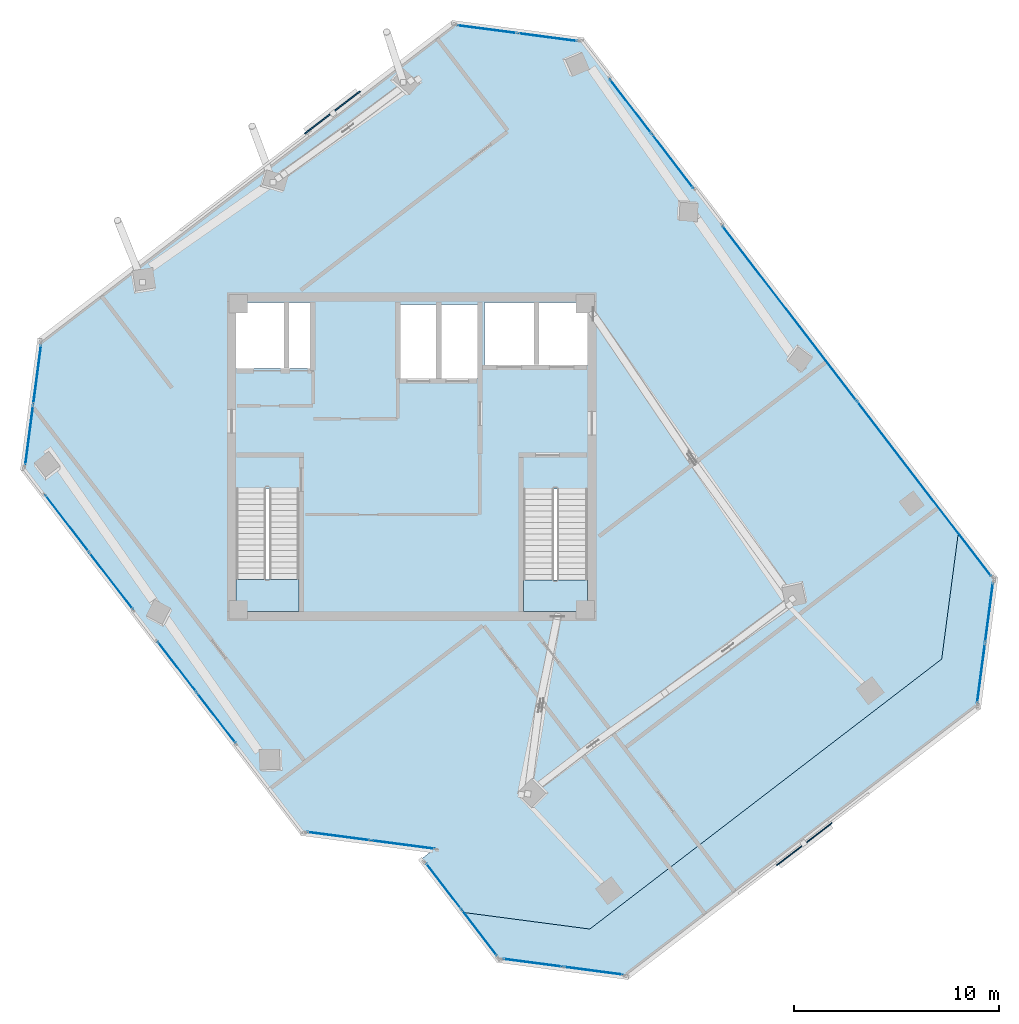
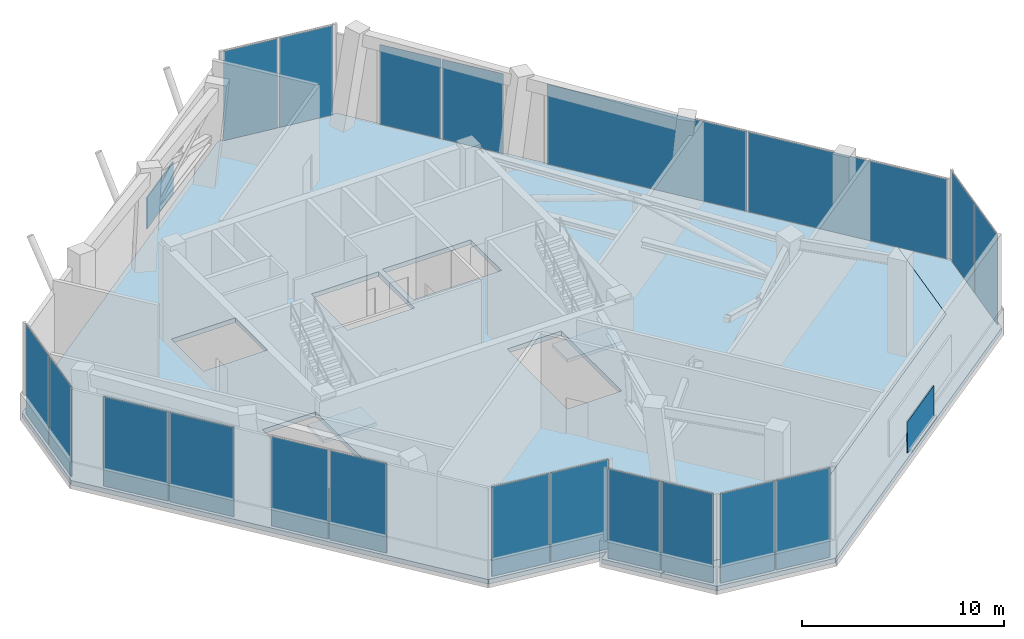
# One storey, part 13 of 19: 22 plates, 4 slabs, 12 elements without a shape of their own.
"""IFC4 building model written with IfcOpenShell, lengths in metres."""

from ifc_helpers import new_model, si_unit, direction, frame, origin, origin_2d, place, context, subcontext, project, spatial, polyline, rectangle, outline, extrude, source, transform, mapped, material, layer, layer_set, type_object, element, aggregate, save


model = new_model("IFC4")

# Units and contexts
model_context = context("Model", 3, precision=1e-05, world=origin(), true_north=direction((0.0, 1.0)))
body_context = subcontext(model_context, "Body", "Model", "MODEL_VIEW")
ifc_project = project(units=[si_unit("LENGTHUNIT", "METRE"), si_unit("AREAUNIT", "SQUARE_METRE"), si_unit("VOLUMEUNIT", "CUBIC_METRE"), si_unit("PLANEANGLEUNIT", "RADIAN"), si_unit("MASSUNIT", "GRAM", prefix="KILO")], contexts=[model_context])

# Site, building, storey
site_placement = place(None, origin())
site = spatial("IfcSite", under=ifc_project, at=site_placement, CompositionType="ELEMENT")
building_placement = place(site_placement, origin())
building = spatial("IfcBuilding", under=site, at=building_placement, Name="Torre Montelarca", CompositionType="ELEMENT")
storey_placement = place(building_placement, frame((0.0, 0.0, 287.800048828125)))
storey = spatial("IfcBuildingStorey", under=building, at=storey_placement, Name="L65", CompositionType="ELEMENT", Elevation=287.800048828125)

# Slabs
ifc_material_1 = material(Name="Concrete C40/50", Category="concrete")
ifc_layer_1 = layer(ifc_material_1, 0.280029296875, Name="Concrete C40/50", Category="concrete")
ifc_layer_set_1 = layer_set([ifc_layer_1], Name="Concrete C40/50")
slab_type_1 = type_object("IfcSlabType", Name="SL-FLR-280", PredefinedType="FLOOR", material=ifc_layer_set_1)
slab_1_placement = place(storey_placement, frame((0.0, 0.0, -0.280029296875)))
element("IfcSlab", 1, at=slab_1_placement, inside=storey, type_object=slab_type_1, Name="L65 Structural Floor Slab", PredefinedType="FLOOR", context=body_context, shape_type="SweptSolid", body=[
    extrude(outline(polyline([(12.66162109375, 13.62158203125), (18.97119140625, 12.791015625), (18.415771484375, 12.364990234375), (20.36376953125, 9.826171875), (26.67333984375, 8.99560546875), (43.809814453125, 22.144775390625), (44.640380859375, 28.454345703125), (26.316650390625, 52.334228515625), (20.007080078125, 53.164794921875), (-0.14404296875, 37.702392578125), (-0.974609375, 31.392822265625), (12.66162109375, 13.62158203125)]), holes=[polyline([(26.550048828125, 24.449951171875), (23.43994140625, 24.449951171875), (23.43994140625, 30.429931640625), (26.550048828125, 30.429931640625), (26.550048828125, 24.449951171875)]), polyline([(12.5, 24.449951171875), (9.449951171875, 24.449951171875), (9.449951171875, 30.4599609375), (12.5, 30.4599609375), (12.5, 24.449951171875)]), polyline([(21.25, 39.39990234375), (21.25, 35.800048828125), (17.39990234375, 35.800048828125), (17.39990234375, 39.39990234375), (21.25, 39.39990234375)]), polyline([(13.1201171875, 36.300048828125), (9.449951171875, 36.300048828125), (9.449951171875, 39.5), (13.1201171875, 39.5), (13.1201171875, 36.300048828125)]), polyline([(26.60009765625, 36.449951171875), (21.550048828125, 36.449951171875), (21.550048828125, 39.5), (26.60009765625, 39.5), (26.60009765625, 36.449951171875)])]), origin(), (0.0, 0.0, 1.0), 0.280029296875),
])
slab_2_placement = place(storey_placement, frame((0.0, 0.0, -0.280029296875)))
element("IfcSlab", 2, at=slab_2_placement, inside=storey, type_object=slab_type_1, Name="L65 Sliding Tray Winter Garden Floor Slab E1", PredefinedType="FLOOR", context=body_context, shape_type="SweptSolid", body=[
    extrude(outline(polyline([(44.640380859375, 28.454345703125), (43.809814453125, 22.144775390625), (26.67333984375, 8.99560546875), (20.36376953125, 9.826171875), (22.190185546875, 7.446044921875), (28.49951171875, 6.615478515625), (45.635986328125, 19.7646484375), (46.466796875, 26.07421875), (44.640380859375, 28.454345703125)])), origin(), (0.0, 0.0, 1.0), 0.280029296875),
])

# Stair, slab
stair_type_1 = type_object("IfcStairType", Name="ST-CORE-ST1", PredefinedType="HALF_TURN_STAIR", material=ifc_material_1)
stair_1_placement = place(storey_placement, origin())
stair_1 = element("IfcStair", 3, at=stair_1_placement, inside=storey, type_object=stair_type_1, Name="L65 Protected Exit Stair ST1", PredefinedType="HALF_TURN_STAIR")
ifc_layer_2 = layer(ifc_material_1, 0.199951171875, Name="Concrete C40/50", Category="concrete")
ifc_layer_set_2 = layer_set([ifc_layer_2], Name="Concrete C40/50")
slab_type_2 = type_object("IfcSlabType", Name="SL-ST-LAND-ST1", PredefinedType="LANDING", material=ifc_layer_set_2)
slab_3_placement = place(storey_placement, frame((0.0, 0.0, 2.800048828125)))
slab_3 = element("IfcSlab", 4, at=slab_3_placement, type_object=slab_type_2, Name="ST1 landing 1", PredefinedType="LANDING", context=body_context, shape_type="SweptSolid", body=[
    extrude(outline(polyline([(9.449951171875, 26.02001953125), (9.449951171875, 24.449951171875), (12.5, 24.449951171875), (12.5, 26.02001953125), (9.449951171875, 26.02001953125)])), origin(), (0.0, 0.0, 1.0), 0.199951171875),
])
aggregate(stair_1, [slab_3])

stair_type_2 = type_object("IfcStairType", Name="ST-CORE-ST2", PredefinedType="HALF_TURN_STAIR", material=ifc_material_1)
stair_2_placement = place(storey_placement, origin())
stair_2 = element("IfcStair", 5, at=stair_2_placement, inside=storey, type_object=stair_type_2, Name="L65 Protected Exit Stair ST2", PredefinedType="HALF_TURN_STAIR")
ifc_layer_3 = layer(ifc_material_1, 0.199951171875, Name="Concrete C40/50", Category="concrete")
ifc_layer_set_3 = layer_set([ifc_layer_3], Name="Concrete C40/50")
slab_type_3 = type_object("IfcSlabType", Name="SL-ST-LAND-ST2", PredefinedType="LANDING", material=ifc_layer_set_3)
slab_4_placement = place(storey_placement, frame((0.0, 0.0, 2.800048828125)))
slab_4 = element("IfcSlab", 6, at=slab_4_placement, type_object=slab_type_3, Name="ST2 landing 1", PredefinedType="LANDING", context=body_context, shape_type="SweptSolid", body=[
    extrude(outline(polyline([(23.43994140625, 25.989990234375), (23.43994140625, 24.449951171875), (26.550048828125, 24.449951171875), (26.550048828125, 25.989990234375), (23.43994140625, 25.989990234375)])), origin(), (0.0, 0.0, 1.0), 0.199951171875),
])
aggregate(stair_2, [slab_4])

# Plates
ifc_material_2 = material(Name="Architectural perforated terracotta ceramic", Category="masonry")
ifc_layer_4 = layer(ifc_material_2, 0.074951171875, Name="Architectural perforated terracotta ceramic", Category="masonry")
ifc_layer_set_4 = layer_set([ifc_layer_4], Name="Architectural perforated terracotta ceramic")
plate_type_1 = type_object("IfcPlateType", Name="SCR-CER-75", PredefinedType="USERDEFINED", material=ifc_layer_set_4)
shared_shape_1 = source(origin(), body_context, "Body", "SweptSolid", [
    extrude(rectangle(XDim=3.39990234375, YDim=0.06005859375, at=origin_2d()), origin(), (0.0, 0.0, 1.0), 1.89990234375),
])
for number, where, z_axis, x_axis, name in (
    (7, (37.116455078125, 13.126708984375, 0.5), (0.0, 0.0, 1.0), (0.793351215308, 0.608764198331, 0.0), "L65 Perforated Ceramic Brise-Soleil Screen E6-1"),
    (8, (14.14111328125, 48.7646484375, 0.5), (0.0, 0.0, 1.0), (-0.793352277801, -0.608762813671, 0.0), "L65 Perforated Ceramic Brise-Soleil Screen E10-1"),
):
    element("IfcPlate", number, at=place(storey_placement, frame(where, z_axis=z_axis, x_axis=x_axis)), inside=storey, type_object=plate_type_1, Name=name, ObjectType="SOLAR SCREEN", PredefinedType="USERDEFINED", context=body_context, shape_type="MappedRepresentation", body=[
        mapped(shared_shape_1, transform((0.0, 0.0, 0.0), scale=1.0)),
    ])

# Curtain wall, plates
ifc_material_3 = material(Name="Insulated low-E laminated glass", Category="glass")
curtain_wall_type = type_object("IfcCurtainWallType", Name="CW-SYS-Z3", PredefinedType="USERDEFINED", material=ifc_material_3)
curtain_wall_1_placement = place(storey_placement, origin())
curtain_wall_1 = element("IfcCurtainWall", 9, at=curtain_wall_1_placement, inside=storey, type_object=curtain_wall_type, Name="L65 Curtain Wall Run CW-T3-L65-E01-B1", ObjectType="UNITISED GLAZING", PredefinedType="USERDEFINED")
ifc_layer_5 = layer(ifc_material_3, 0.031982421875, Name="Insulated low-E laminated glass", Category="glass")
ifc_layer_set_5 = layer_set([ifc_layer_5], Name="Insulated low-E laminated glass")
plate_type_2 = type_object("IfcPlateType", Name="CWP-GLZ-32", PredefinedType="CURTAIN_PANEL", material=ifc_layer_set_5)
shared_shape_2 = source(origin(), body_context, "Body", "SweptSolid", [
    extrude(rectangle(XDim=3.45751953125, YDim=0.031982421875, at=origin_2d()), origin(), (0.0, 0.0, 1.0), 5.409912109375),
])
plate_1_placement = place(storey_placement, frame((1.21875, 28.747802734375, 0.05517578125), z_axis=(0.0, 0.0, 1.0), x_axis=(0.608768152979, -0.793348180762, 0.0)))
plate_1 = element("IfcPlate", 10, at=plate_1_placement, type_object=plate_type_2, Name="CW panel 1.1", PredefinedType="CURTAIN_PANEL", context=body_context, shape_type="MappedRepresentation", body=[
    mapped(shared_shape_2, transform((0.0, 0.0, 0.0), scale=1.0)),
])
plate_2_placement = place(storey_placement, frame((3.369140625, 25.9453125, 0.05517578125), z_axis=(0.0, 0.0, 1.0), x_axis=(0.608768152979, -0.793348180762, 0.0)))
plate_2 = element("IfcPlate", 11, at=plate_2_placement, type_object=plate_type_2, Name="CW panel 2.1", PredefinedType="CURTAIN_PANEL", context=body_context, shape_type="MappedRepresentation", body=[
    mapped(shared_shape_2, transform((0.0, 0.0, 0.0), scale=1.0)),
])
aggregate(curtain_wall_1, [plate_1, plate_2])

curtain_wall_2_placement = place(storey_placement, origin())
curtain_wall_2 = element("IfcCurtainWall", 12, at=curtain_wall_2_placement, inside=storey, type_object=curtain_wall_type, Name="L65 Curtain Wall Run CW-T3-L65-E01-B2", ObjectType="UNITISED GLAZING", PredefinedType="USERDEFINED")
shared_shape_3 = source(origin(), body_context, "Body", "SweptSolid", [
    extrude(rectangle(XDim=3.0546875, YDim=0.031982421875, at=origin_2d()), origin(), (0.0, 0.0, 1.0), 5.409912109375),
])
plate_3_placement = place(storey_placement, frame((6.5751953125, 21.767333984375, 0.05517578125), z_axis=(0.0, 0.0, 1.0), x_axis=(0.608771188398, -0.793345851553, 0.0)))
plate_3 = element("IfcPlate", 13, at=plate_3_placement, type_object=plate_type_2, Name="CW panel 1.1", PredefinedType="CURTAIN_PANEL", context=body_context, shape_type="MappedRepresentation", body=[
    mapped(shared_shape_3, transform((0.0, 0.0, 0.0), scale=1.0)),
])
plate_4_placement = place(storey_placement, frame((8.48046875, 19.284423828125, 0.05517578125), z_axis=(0.0, 0.0, 1.0), x_axis=(0.608771188398, -0.793345851553, 0.0)))
plate_4 = element("IfcPlate", 14, at=plate_4_placement, type_object=plate_type_2, Name="CW panel 2.1", PredefinedType="CURTAIN_PANEL", context=body_context, shape_type="MappedRepresentation", body=[
    mapped(shared_shape_3, transform((0.0, 0.0, 0.0), scale=1.0)),
])
aggregate(curtain_wall_2, [plate_3, plate_4])

curtain_wall_3_placement = place(storey_placement, origin())
curtain_wall_3 = element("IfcCurtainWall", 15, at=curtain_wall_3_placement, inside=storey, type_object=curtain_wall_type, Name="L65 Curtain Wall Run CW-T3-L65-E02-B1", ObjectType="UNITISED GLAZING", PredefinedType="USERDEFINED")
shared_shape_4 = source(origin(), body_context, "Body", "SweptSolid", [
    extrude(rectangle(XDim=3.08740234375, YDim=0.031982421875, at=origin_2d()), origin(), (0.0, 0.0, 1.0), 5.409912109375),
])
plate_5_placement = place(storey_placement, frame((14.447998046875, 13.517578125, 0.05517578125), z_axis=(0.0, 0.0, 1.0), x_axis=(0.991446369584, -0.130514735715, 0.0)))
plate_5 = element("IfcPlate", 16, at=plate_5_placement, type_object=plate_type_2, Name="CW panel 1.1", PredefinedType="CURTAIN_PANEL", context=body_context, shape_type="MappedRepresentation", body=[
    mapped(shared_shape_4, transform((0.0, 0.0, 0.0), scale=1.0)),
])
plate_6_placement = place(storey_placement, frame((17.58349609375, 13.10498046875, 0.05517578125), z_axis=(0.0, 0.0, 1.0), x_axis=(0.991446369584, -0.130514735715, 0.0)))
plate_6 = element("IfcPlate", 17, at=plate_6_placement, type_object=plate_type_2, Name="CW panel 2.1", PredefinedType="CURTAIN_PANEL", context=body_context, shape_type="MappedRepresentation", body=[
    mapped(shared_shape_4, transform((0.0, 0.0, 0.0), scale=1.0)),
])
aggregate(curtain_wall_3, [plate_5, plate_6])

curtain_wall_4_placement = place(storey_placement, origin())
curtain_wall_4 = element("IfcCurtainWall", 18, at=curtain_wall_4_placement, inside=storey, type_object=curtain_wall_type, Name="L65 Curtain Wall Run CW-T3-L65-E04-B1", ObjectType="UNITISED GLAZING", PredefinedType="USERDEFINED")
shared_shape_5 = source(origin(), body_context, "Body", "SweptSolid", [
    extrude(rectangle(XDim=2.78369140625, YDim=0.031982421875, at=origin_2d()), origin(), (0.0, 0.0, 1.0), 5.409912109375),
])
plate_7_placement = place(storey_placement, frame((19.55908203125, 11.08837890625, 0.05517578125), z_axis=(0.0, 0.0, 1.0), x_axis=(0.608761678082, -0.793353149171, 0.0)))
plate_7 = element("IfcPlate", 19, at=plate_7_placement, type_object=plate_type_2, Name="CW panel 1.1", PredefinedType="CURTAIN_PANEL", context=body_context, shape_type="MappedRepresentation", body=[
    mapped(shared_shape_5, transform((0.0, 0.0, 0.0), scale=1.0)),
])
plate_8_placement = place(storey_placement, frame((21.29931640625, 8.820556640625, 0.05517578125), z_axis=(0.0, 0.0, 1.0), x_axis=(0.608761678082, -0.793353149171, 0.0)))
plate_8 = element("IfcPlate", 20, at=plate_8_placement, type_object=plate_type_2, Name="CW panel 2.1", PredefinedType="CURTAIN_PANEL", context=body_context, shape_type="MappedRepresentation", body=[
    mapped(shared_shape_5, transform((0.0, 0.0, 0.0), scale=1.0)),
])
aggregate(curtain_wall_4, [plate_7, plate_8])

curtain_wall_5_placement = place(storey_placement, origin())
curtain_wall_5 = element("IfcCurtainWall", 21, at=curtain_wall_5_placement, inside=storey, type_object=curtain_wall_type, Name="L65 Curtain Wall Run CW-T3-L65-E05-B1", ObjectType="UNITISED GLAZING", PredefinedType="USERDEFINED")
shared_shape_6 = source(origin(), body_context, "Body", "SweptSolid", [
    extrude(rectangle(XDim=2.903564453125, YDim=0.031982421875, at=origin_2d()), origin(), (0.0, 0.0, 1.0), 5.409912109375),
])
plate_9_placement = place(storey_placement, frame((23.88525390625, 7.35400390625, 0.05517578125), z_axis=(0.0, 0.0, 1.0), x_axis=(0.991446450787, -0.130514118862, 0.0)))
plate_9 = element("IfcPlate", 22, at=plate_9_placement, type_object=plate_type_2, Name="CW panel 1.1", PredefinedType="CURTAIN_PANEL", context=body_context, shape_type="MappedRepresentation", body=[
    mapped(shared_shape_6, transform((0.0, 0.0, 0.0), scale=1.0)),
])
plate_10_placement = place(storey_placement, frame((26.83837890625, 6.96533203125, 0.05517578125), z_axis=(0.0, 0.0, 1.0), x_axis=(0.991446450787, -0.130514118862, 0.0)))
plate_10 = element("IfcPlate", 23, at=plate_10_placement, type_object=plate_type_2, Name="CW panel 2.1", PredefinedType="CURTAIN_PANEL", context=body_context, shape_type="MappedRepresentation", body=[
    mapped(shared_shape_6, transform((0.0, 0.0, 0.0), scale=1.0)),
])
aggregate(curtain_wall_5, [plate_9, plate_10])

curtain_wall_6_placement = place(storey_placement, origin())
curtain_wall_6 = element("IfcCurtainWall", 24, at=curtain_wall_6_placement, inside=storey, type_object=curtain_wall_type, Name="L65 Curtain Wall Run CW-T3-L65-E07-B1", ObjectType="UNITISED GLAZING", PredefinedType="USERDEFINED")
plate_11_placement = place(storey_placement, frame((45.72802734375, 21.4599609375, 0.05517578125), z_axis=(0.0, 0.0, 1.0), x_axis=(0.130514118862, 0.991446450787, 0.0)))
plate_11 = element("IfcPlate", 25, at=plate_11_placement, type_object=plate_type_2, Name="CW panel 1.1", PredefinedType="CURTAIN_PANEL", context=body_context, shape_type="MappedRepresentation", body=[
    mapped(shared_shape_6, transform((0.0, 0.0, 0.0), scale=1.0)),
])
plate_12_placement = place(storey_placement, frame((46.116943359375, 24.4130859375, 0.05517578125), z_axis=(0.0, 0.0, 1.0), x_axis=(0.130514118862, 0.991446450787, 0.0)))
plate_12 = element("IfcPlate", 26, at=plate_12_placement, type_object=plate_type_2, Name="CW panel 2.1", PredefinedType="CURTAIN_PANEL", context=body_context, shape_type="MappedRepresentation", body=[
    mapped(shared_shape_6, transform((0.0, 0.0, 0.0), scale=1.0)),
])
aggregate(curtain_wall_6, [plate_11, plate_12])

curtain_wall_7_placement = place(storey_placement, origin())
curtain_wall_7 = element("IfcCurtainWall", 27, at=curtain_wall_7_placement, inside=storey, type_object=curtain_wall_type, Name="L65 Curtain Wall Run CW-T3-L65-E09-B1", ObjectType="UNITISED GLAZING", PredefinedType="USERDEFINED")
plate_13_placement = place(storey_placement, frame((24.62158203125, 52.42626953125, 0.05517578125), z_axis=(0.0, 0.0, 1.0), x_axis=(-0.991446450787, 0.130514118862, 0.0)))
plate_13 = element("IfcPlate", 28, at=plate_13_placement, type_object=plate_type_2, Name="CW panel 1.1", PredefinedType="CURTAIN_PANEL", context=body_context, shape_type="MappedRepresentation", body=[
    mapped(shared_shape_6, transform((0.0, 0.0, 0.0), scale=1.0)),
])
plate_14_placement = place(storey_placement, frame((21.66845703125, 52.81494140625, 0.05517578125), z_axis=(0.0, 0.0, 1.0), x_axis=(-0.991446450787, 0.130514118862, 0.0)))
plate_14 = element("IfcPlate", 29, at=plate_14_placement, type_object=plate_type_2, Name="CW panel 2.1", PredefinedType="CURTAIN_PANEL", context=body_context, shape_type="MappedRepresentation", body=[
    mapped(shared_shape_6, transform((0.0, 0.0, 0.0), scale=1.0)),
])
aggregate(curtain_wall_7, [plate_13, plate_14])

curtain_wall_8_placement = place(storey_placement, origin())
curtain_wall_8 = element("IfcCurtainWall", 30, at=curtain_wall_8_placement, inside=storey, type_object=curtain_wall_type, Name="L65 Curtain Wall Run CW-T3-L65-E11-B1", ObjectType="UNITISED GLAZING", PredefinedType="USERDEFINED")
plate_15_placement = place(storey_placement, frame((-0.236083984375, 36.007080078125, 0.05517578125), z_axis=(0.0, 0.0, 1.0), x_axis=(-0.130514118862, -0.991446450787, 0.0)))
plate_15 = element("IfcPlate", 31, at=plate_15_placement, type_object=plate_type_2, Name="CW panel 1.1", PredefinedType="CURTAIN_PANEL", context=body_context, shape_type="MappedRepresentation", body=[
    mapped(shared_shape_6, transform((0.0, 0.0, 0.0), scale=1.0)),
])
plate_16_placement = place(storey_placement, frame((-0.624755859375, 33.053955078125, 0.05517578125), z_axis=(0.0, 0.0, 1.0), x_axis=(-0.130514118862, -0.991446450787, 0.0)))
plate_16 = element("IfcPlate", 32, at=plate_16_placement, type_object=plate_type_2, Name="CW panel 2.1", PredefinedType="CURTAIN_PANEL", context=body_context, shape_type="MappedRepresentation", body=[
    mapped(shared_shape_6, transform((0.0, 0.0, 0.0), scale=1.0)),
])
aggregate(curtain_wall_8, [plate_15, plate_16])

curtain_wall_9_placement = place(storey_placement, origin())
curtain_wall_9 = element("IfcCurtainWall", 33, at=curtain_wall_9_placement, inside=storey, type_object=curtain_wall_type, Name="L65 Curtain Wall Run CW-T3-L65-E08-B1", ObjectType="UNITISED GLAZING", PredefinedType="USERDEFINED")
shared_shape_7 = source(origin(), body_context, "Body", "SweptSolid", [
    extrude(rectangle(XDim=10.70751953125, YDim=0.031982421875, at=origin_2d()), origin(), (0.0, 0.0, 1.0), 4.824951171875),
])
plate_17_placement = place(storey_placement, frame((42.957763671875, 30.43359375, 0.05517578125), z_axis=(0.0, 0.0, 1.0), x_axis=(-0.608760754373, 0.793353857957, 0.0)))
plate_17 = element("IfcPlate", 34, at=plate_17_placement, type_object=plate_type_2, Name="CW panel 1.1", PredefinedType="CURTAIN_PANEL", context=body_context, shape_type="MappedRepresentation", body=[
    mapped(shared_shape_7, transform((0.0, 0.0, 0.0), scale=1.0)),
])
plate_18_placement = place(storey_placement, frame((36.393798828125, 38.98779296875, 0.05517578125), z_axis=(0.0, 0.0, 1.0), x_axis=(-0.608760754373, 0.793353857957, 0.0)))
plate_18 = element("IfcPlate", 35, at=plate_18_placement, type_object=plate_type_2, Name="CW panel 2.1", PredefinedType="CURTAIN_PANEL", context=body_context, shape_type="MappedRepresentation", body=[
    mapped(shared_shape_7, transform((0.0, 0.0, 0.0), scale=1.0)),
])
aggregate(curtain_wall_9, [plate_17, plate_18])

curtain_wall_10_placement = place(storey_placement, origin())
curtain_wall_10 = element("IfcCurtainWall", 36, at=curtain_wall_10_placement, inside=storey, type_object=curtain_wall_type, Name="L65 Curtain Wall Run CW-T3-L65-E08-B2", ObjectType="UNITISED GLAZING", PredefinedType="USERDEFINED")
shared_shape_8 = source(origin(), body_context, "Body", "SweptSolid", [
    extrude(rectangle(XDim=3.287109375, YDim=0.031982421875, at=origin_2d()), origin(), (0.0, 0.0, 1.0), 4.824951171875),
])
plate_19_placement = place(storey_placement, frame((30.708251953125, 46.3974609375, 0.05517578125), z_axis=(0.0, 0.0, 1.0), x_axis=(-0.608762172226, 0.79335277, 0.0)))
plate_19 = element("IfcPlate", 37, at=plate_19_placement, type_object=plate_type_2, Name="CW panel 1.1", PredefinedType="CURTAIN_PANEL", context=body_context, shape_type="MappedRepresentation", body=[
    mapped(shared_shape_8, transform((0.0, 0.0, 0.0), scale=1.0)),
])
plate_20_placement = place(storey_placement, frame((28.66162109375, 49.064697265625, 0.05517578125), z_axis=(0.0, 0.0, 1.0), x_axis=(-0.608762172226, 0.79335277, 0.0)))
plate_20 = element("IfcPlate", 38, at=plate_20_placement, type_object=plate_type_2, Name="CW panel 2.1", PredefinedType="CURTAIN_PANEL", context=body_context, shape_type="MappedRepresentation", body=[
    mapped(shared_shape_8, transform((0.0, 0.0, 0.0), scale=1.0)),
])
aggregate(curtain_wall_10, [plate_19, plate_20])

save(model, "model.ifc")
